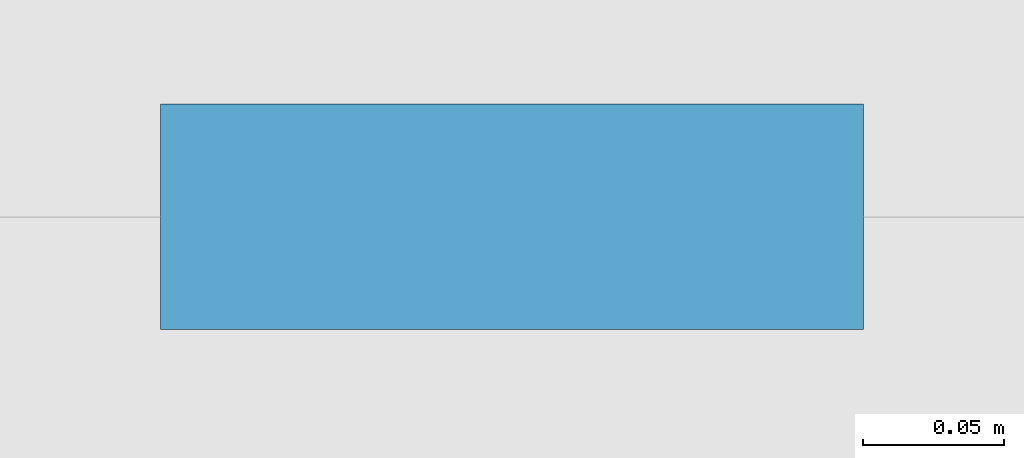
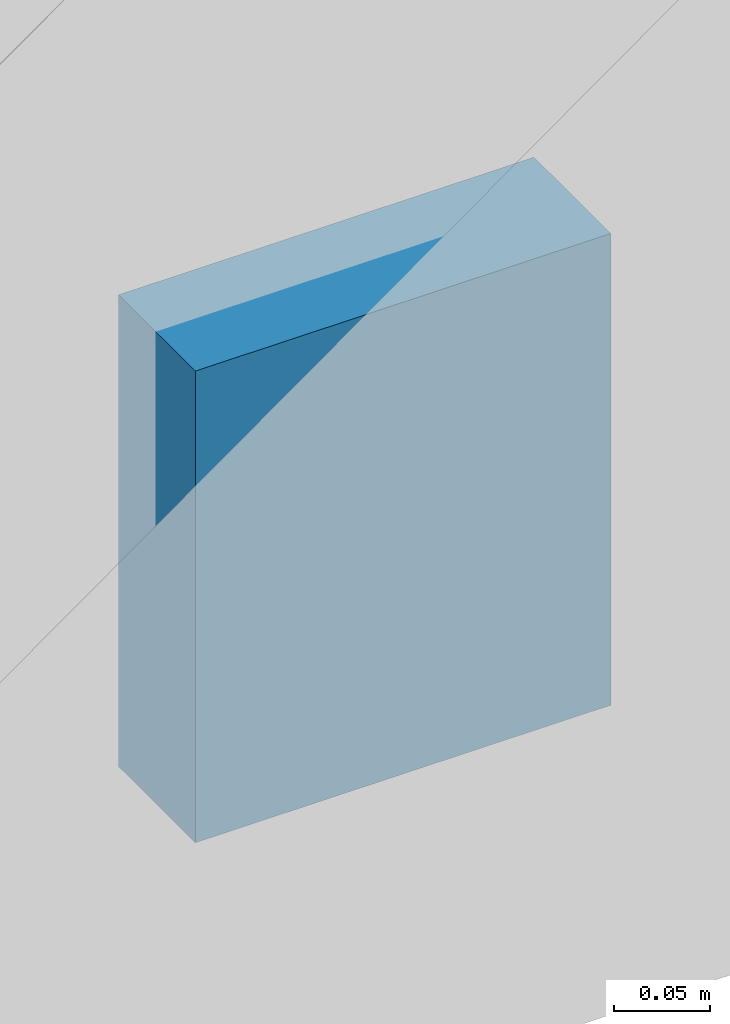
# One storey, part 89 of 199: 1 discrete accessory.
"""IFC4 building model written with IfcOpenShell, lengths in metres."""

from ifc_helpers import new_model, si_unit, direction, frame, origin, origin_2d, place, context, subcontext, project, spatial, rectangle, extrude, material, layer, layer_set, type_object, element, save


model = new_model("IFC4")

# Units and contexts
model_context = context("Model", 3, precision=1e-05, world=origin(), true_north=direction((0.0, 1.0)))
body_context = subcontext(model_context, "Body", "Model", "MODEL_VIEW")
ifc_project = project(units=[si_unit("LENGTHUNIT", "METRE"), si_unit("AREAUNIT", "SQUARE_METRE"), si_unit("VOLUMEUNIT", "CUBIC_METRE"), si_unit("PLANEANGLEUNIT", "RADIAN"), si_unit("MASSUNIT", "GRAM", prefix="KILO")], contexts=[model_context])

# Site, building, storey
site_placement = place(None, origin())
site = spatial("IfcSite", under=ifc_project, at=site_placement, CompositionType="ELEMENT")
building_placement = place(site_placement, origin())
building = spatial("IfcBuilding", under=site, at=building_placement, Name="Ogive Plaza Stadium", CompositionType="ELEMENT")
storey_placement = place(building_placement, frame((0.0, 0.0, 9.0)))
storey = spatial("IfcBuildingStorey", under=building, at=storey_placement, Name="L02", CompositionType="ELEMENT", Elevation=9.0)

# Discrete accessory
ifc_material = material(Name="Steel ASTM A572 Grade 50", Category="steel")
ifc_layer = layer(ifc_material, 0.080078125)
ifc_layer_set = layer_set([ifc_layer], Name="Steel ASTM A572 Grade 50")
discrete_accessory_type = type_object("IfcDiscreteAccessoryType", Name="Spandrel cladding bracket 250x300", PredefinedType="BRACKET", material=ifc_layer_set)
discrete_accessory_placement = place(storey_placement, frame((-27.199951171875, -102.85009765625, -1.31005859375), z_axis=(0.0, 0.0, 1.0), x_axis=(-1.0, 0.0, 0.0)))
element("IfcDiscreteAccessory", 1, at=discrete_accessory_placement, inside=storey, type_object=discrete_accessory_type, Name="SPANDREL BRACKET B16 L02", PredefinedType="BRACKET", context=body_context, shape_type="SweptSolid", body=[
    extrude(rectangle(XDim=0.25, YDim=0.080078125, at=origin_2d()), origin(), (0.0, 0.0, 1.0), 0.300048828125),
])

save(model, "model.ifc")
